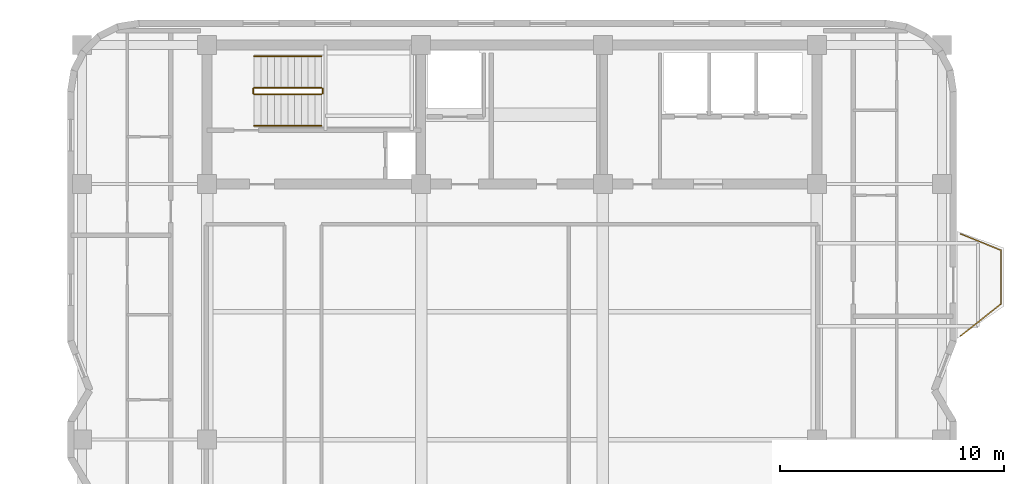
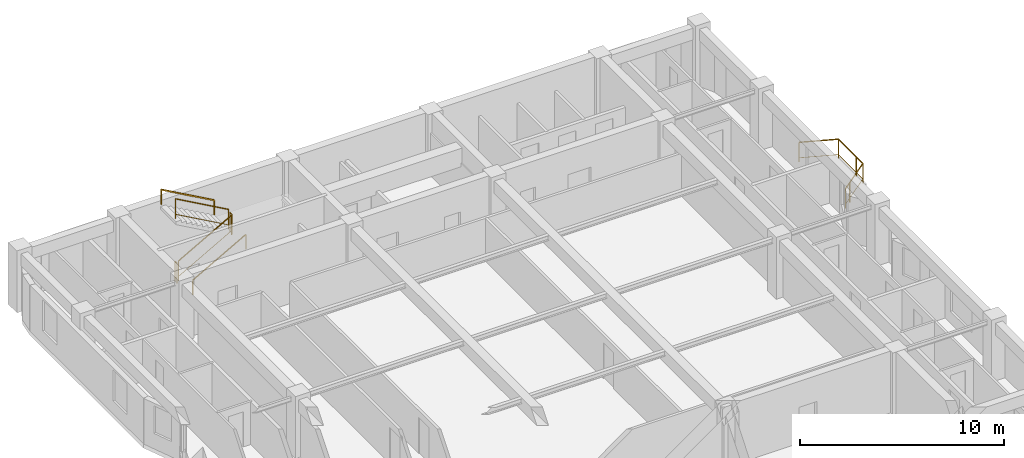
# One storey, part 8 of 8: 7 railings.
"""IFC4 building model written with IfcOpenShell, lengths in metres."""

from ifc_helpers import new_model, si_unit, direction, frame, origin, origin_2d, place, context, subcontext, project, spatial, rectangle, extrude, material, type_object, element, save


model = new_model("IFC4")

# Units and contexts
model_context = context("Model", 3, precision=1e-05, world=origin(), true_north=direction((0.0, 1.0)))
body_context = subcontext(model_context, "Body", "Model", "MODEL_VIEW")
ifc_project = project(units=[si_unit("LENGTHUNIT", "METRE"), si_unit("AREAUNIT", "SQUARE_METRE"), si_unit("VOLUMEUNIT", "CUBIC_METRE"), si_unit("PLANEANGLEUNIT", "RADIAN"), si_unit("MASSUNIT", "GRAM", prefix="KILO")], contexts=[model_context])

# Site, building, storey
site_placement = place(None, origin())
site = spatial("IfcSite", under=ifc_project, at=site_placement, CompositionType="ELEMENT")
building_placement = place(site_placement, origin())
building = spatial("IfcBuilding", under=site, at=building_placement, Name="Svetorya Sky Lyceum", CompositionType="ELEMENT")
storey_placement = place(building_placement, frame((0.0, 0.0, 233.199951171875)))
storey = spatial("IfcBuildingStorey", under=building, at=storey_placement, Name="L58", CompositionType="ELEMENT", Elevation=233.199951171875)

# Railings
ifc_material_1 = material(Name="Laminated safety glass and stainless AISI 316", Category="glass")
railing_type_1 = type_object("IfcRailingType", Name="RL-BAL-1200", PredefinedType="BALUSTRADE", material=ifc_material_1)
railing_1_placement = place(storey_placement, frame((59.2099609375, 37.3798828125, 0.0)))
element("IfcRailing", 1, at=railing_1_placement, inside=storey, type_object=railing_type_1, Name="L58 Balcony Balustrade BAL-E1", PredefinedType="BALUSTRADE", context=body_context, shape_type="SweptSolid", body=[
    extrude(rectangle(XDim=0.048095703125, YDim=0.048095703125, at=origin_2d()), frame((0.0, 0.0, 1.17578125), z_axis=(0.926697865975, -0.375807218129, 0.0), x_axis=(0.375807218129, 0.926697865975, 0.0)), (0.0, 0.0, 1.0), 1.9423828125),
    extrude(rectangle(XDim=0.02392578125, YDim=0.02392578125, at=origin_2d()), frame((0.0, 0.0, 0.25), z_axis=(0.926697865975, -0.375807218129, 0.0), x_axis=(0.375807218129, 0.926697865975, 0.0)), (0.0, 0.0, 1.0), 1.9423828125),
    extrude(rectangle(XDim=0.048095703125, YDim=0.048095703125, at=origin_2d()), frame((1.800048828125, -0.72998046875, 1.17578125), z_axis=(0.0, -1.0, 0.0), x_axis=(1.0, 0.0, 0.0)), (0.0, 0.0, 1.0), 2.39990234375),
    extrude(rectangle(XDim=0.02392578125, YDim=0.02392578125, at=origin_2d()), frame((1.800048828125, -0.72998046875, 0.25), z_axis=(0.0, -1.0, 0.0), x_axis=(1.0, 0.0, 0.0)), (0.0, 0.0, 1.0), 2.39990234375),
    extrude(rectangle(XDim=0.048095703125, YDim=0.048095703125, at=origin_2d()), frame((1.800048828125, -3.1298828125, 1.17578125), z_axis=(-0.783008919264, -0.622010476079, 0.0), x_axis=(0.622010476079, -0.783008919264, 0.0)), (0.0, 0.0, 1.0), 2.298828125),
    extrude(rectangle(XDim=0.02392578125, YDim=0.02392578125, at=origin_2d()), frame((1.800048828125, -3.1298828125, 0.25), z_axis=(-0.783008919264, -0.622010476079, 0.0), x_axis=(0.622010476079, -0.783008919264, 0.0)), (0.0, 0.0, 1.0), 2.298828125),
    extrude(rectangle(XDim=0.0419921875, YDim=0.0419921875, at=origin_2d()), origin(), (0.0, 0.0, 1.0), 1.15185546875),
    extrude(rectangle(XDim=0.0419921875, YDim=0.0419921875, at=origin_2d()), frame((1.800048828125, -0.72998046875, 0.0)), (0.0, 0.0, 1.0), 1.15185546875),
    extrude(rectangle(XDim=0.0419921875, YDim=0.0419921875, at=origin_2d()), frame((1.800048828125, -2.47998046875, 0.0)), (0.0, 0.0, 1.0), 1.15185546875),
    extrude(rectangle(XDim=0.0419921875, YDim=0.0419921875, at=origin_2d()), frame((1.800048828125, -3.1298828125, 0.0)), (0.0, 0.0, 1.0), 1.15185546875),
    extrude(rectangle(XDim=0.0419921875, YDim=0.0419921875, at=origin_2d()), frame((0.4296875, -4.218505859375, 0.0)), (0.0, 0.0, 1.0), 1.15185546875),
    extrude(rectangle(XDim=0.0419921875, YDim=0.0419921875, at=origin_2d()), frame((0.0, -4.559814453125, 0.0)), (0.0, 0.0, 1.0), 1.15185546875),
])
ifc_material_2 = material(Name="Painted galvanized stair well guard")
railing_type_2 = type_object("IfcRailingType", Name="RL-STR-GUARD-1200", PredefinedType="GUARDRAIL", material=ifc_material_2)
railing_2_placement = place(storey_placement, frame((27.699951171875, 43.60009765625, 0.168212890625)))
element("IfcRailing", 2, at=railing_2_placement, inside=storey, type_object=railing_type_2, Name="L58 ST-N stair guard 1", PredefinedType="GUARDRAIL", context=body_context, shape_type="SweptSolid", body=[
    extrude(rectangle(XDim=0.048095703125, YDim=0.048095703125, at=origin_2d()), frame((0.0, 0.0, 1.17578125), z_axis=(0.872272294576, 0.0, 0.489020494575), x_axis=(0.0, 1.0, 0.0)), (0.0, 0.0, 1.0), 3.439208984375),
    extrude(rectangle(XDim=0.02392578125, YDim=0.02392578125, at=origin_2d()), frame((0.0, 0.0, 0.25), z_axis=(0.872272294576, 0.0, 0.489020494575), x_axis=(0.0, 1.0, 0.0)), (0.0, 0.0, 1.0), 3.439208984375),
    extrude(rectangle(XDim=0.0419921875, YDim=0.0419921875, at=origin_2d()), origin(), (0.0, 0.0, 1.0), 1.15185546875),
    extrude(rectangle(XDim=0.0419921875, YDim=0.0419921875, at=origin_2d()), frame((3.0, 0.0, 1.681884765625)), (0.0, 0.0, 1.0), 1.15185546875),
])
railing_3_placement = place(storey_placement, frame((30.75, 43.64990234375, 1.85009765625)))
element("IfcRailing", 3, at=railing_3_placement, inside=storey, type_object=railing_type_2, Name="L58 ST-N stair guard 2", PredefinedType="GUARDRAIL", context=body_context, shape_type="SweptSolid", body=[
    extrude(rectangle(XDim=0.048095703125, YDim=0.048095703125, at=origin_2d()), frame((0.0, 0.0, 1.17578125), z_axis=(0.0, 1.0, 0.0), x_axis=(-1.0, 0.0, 0.0)), (0.0, 0.0, 1.0), 0.2001953125),
    extrude(rectangle(XDim=0.02392578125, YDim=0.02392578125, at=origin_2d()), frame((0.0, 0.0, 0.25), z_axis=(0.0, 1.0, 0.0), x_axis=(-1.0, 0.0, 0.0)), (0.0, 0.0, 1.0), 0.2001953125),
    extrude(rectangle(XDim=0.0419921875, YDim=0.0419921875, at=origin_2d()), origin(), (0.0, 0.0, 1.0), 1.15185546875),
    extrude(rectangle(XDim=0.0419921875, YDim=0.0419921875, at=origin_2d()), frame((0.0, 0.2001953125, 0.0)), (0.0, 0.0, 1.0), 1.15185546875),
])
railing_4_placement = place(storey_placement, frame((30.699951171875, 43.89990234375, 2.018310546875)))
element("IfcRailing", 4, at=railing_4_placement, inside=storey, type_object=railing_type_2, Name="L58 ST-N stair guard 3", PredefinedType="GUARDRAIL", context=body_context, shape_type="SweptSolid", body=[
    extrude(rectangle(XDim=0.048095703125, YDim=0.048095703125, at=origin_2d()), frame((0.0, 0.0, 1.17578125), z_axis=(-0.872302573547, 0.0, 0.488966481656), x_axis=(0.0, -1.0, 0.0)), (0.0, 0.0, 1.0), 3.439208984375),
    extrude(rectangle(XDim=0.02392578125, YDim=0.02392578125, at=origin_2d()), frame((0.0, 0.0, 0.25), z_axis=(-0.872302573547, 0.0, 0.488966481656), x_axis=(0.0, -1.0, 0.0)), (0.0, 0.0, 1.0), 3.439208984375),
    extrude(rectangle(XDim=0.0419921875, YDim=0.0419921875, at=origin_2d()), origin(), (0.0, 0.0, 1.0), 1.15185546875),
    extrude(rectangle(XDim=0.0419921875, YDim=0.0419921875, at=origin_2d()), frame((-3.0, 0.0, 1.681640625)), (0.0, 0.0, 1.0), 1.15185546875),
])
railing_5_placement = place(storey_placement, frame((27.64990234375, 43.64990234375, 0.0)))
element("IfcRailing", 5, at=railing_5_placement, inside=storey, type_object=railing_type_2, Name="L58 ST-N stair guard 4", PredefinedType="GUARDRAIL", context=body_context, shape_type="SweptSolid", body=[
    extrude(rectangle(XDim=0.048095703125, YDim=0.048095703125, at=origin_2d()), frame((0.0, 0.0, 1.17578125), z_axis=(0.0, 1.0, 0.0), x_axis=(-1.0, 0.0, 0.0)), (0.0, 0.0, 1.0), 0.2001953125),
    extrude(rectangle(XDim=0.02392578125, YDim=0.02392578125, at=origin_2d()), frame((0.0, 0.0, 0.25), z_axis=(0.0, 1.0, 0.0), x_axis=(-1.0, 0.0, 0.0)), (0.0, 0.0, 1.0), 0.2001953125),
    extrude(rectangle(XDim=0.0419921875, YDim=0.0419921875, at=origin_2d()), origin(), (0.0, 0.0, 1.0), 1.15185546875),
    extrude(rectangle(XDim=0.0419921875, YDim=0.0419921875, at=origin_2d()), frame((0.0, 0.2001953125, 0.0)), (0.0, 0.0, 1.0), 1.15185546875),
])
ifc_material_3 = material(Name="Brushed stainless AISI 304 stair handrail")
railing_type_3 = type_object("IfcRailingType", Name="RL-STR-HAND-920", PredefinedType="HANDRAIL", material=ifc_material_3)
railing_6_placement = place(storey_placement, frame((27.699951171875, 42.199951171875, 0.168212890625)))
element("IfcRailing", 6, at=railing_6_placement, inside=storey, type_object=railing_type_3, Name="L58 ST-N stair handrail 1", PredefinedType="HANDRAIL", context=body_context, shape_type="SweptSolid", body=[
    extrude(rectangle(XDim=0.048095703125, YDim=0.048095703125, at=origin_2d()), frame((0.0, 0.0, 0.8759765625), z_axis=(0.872272294576, 0.0, 0.489020494575), x_axis=(0.0, 1.0, 0.0)), (0.0, 0.0, 1.0), 3.439208984375),
    extrude(rectangle(XDim=0.0419921875, YDim=0.0419921875, at=origin_2d()), origin(), (0.0, 0.0, 1.0), 0.851806640625),
    extrude(rectangle(XDim=0.0419921875, YDim=0.0419921875, at=origin_2d()), frame((3.0, 0.0, 1.681884765625)), (0.0, 0.0, 1.0), 0.851806640625),
])
railing_7_placement = place(storey_placement, frame((30.699951171875, 45.300048828125, 2.018310546875)))
element("IfcRailing", 7, at=railing_7_placement, inside=storey, type_object=railing_type_3, Name="L58 ST-N stair handrail 2", PredefinedType="HANDRAIL", context=body_context, shape_type="SweptSolid", body=[
    extrude(rectangle(XDim=0.048095703125, YDim=0.048095703125, at=origin_2d()), frame((0.0, 0.0, 0.8759765625), z_axis=(-0.872302573547, 0.0, 0.488966481656), x_axis=(0.0, -1.0, 0.0)), (0.0, 0.0, 1.0), 3.439208984375),
    extrude(rectangle(XDim=0.0419921875, YDim=0.0419921875, at=origin_2d()), origin(), (0.0, 0.0, 1.0), 0.851806640625),
    extrude(rectangle(XDim=0.0419921875, YDim=0.0419921875, at=origin_2d()), frame((-3.0, 0.0, 1.681640625)), (0.0, 0.0, 1.0), 0.851806640625),
])

save(model, "model.ifc")
